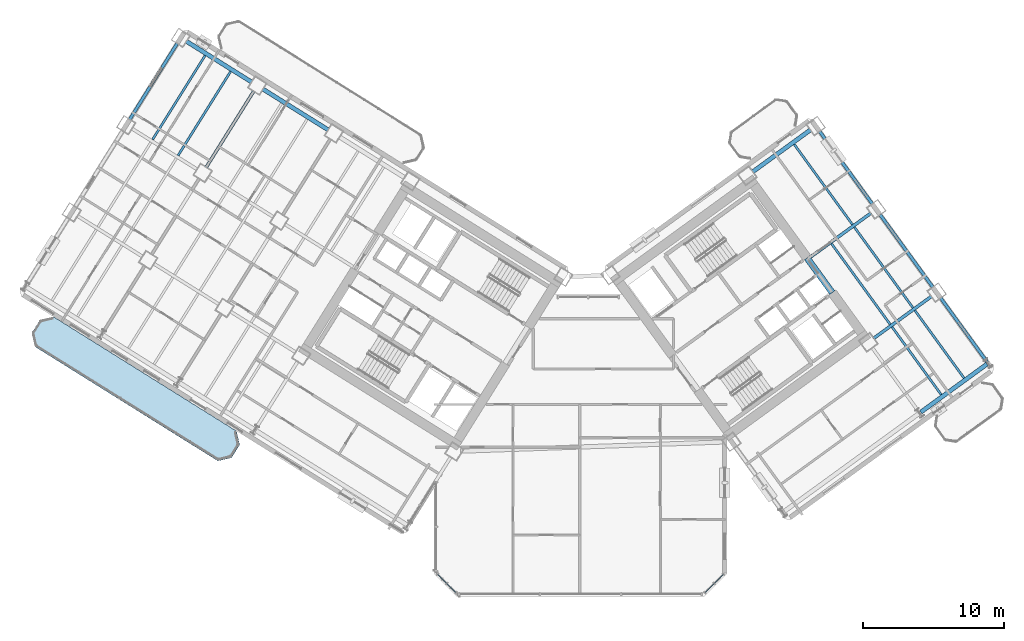
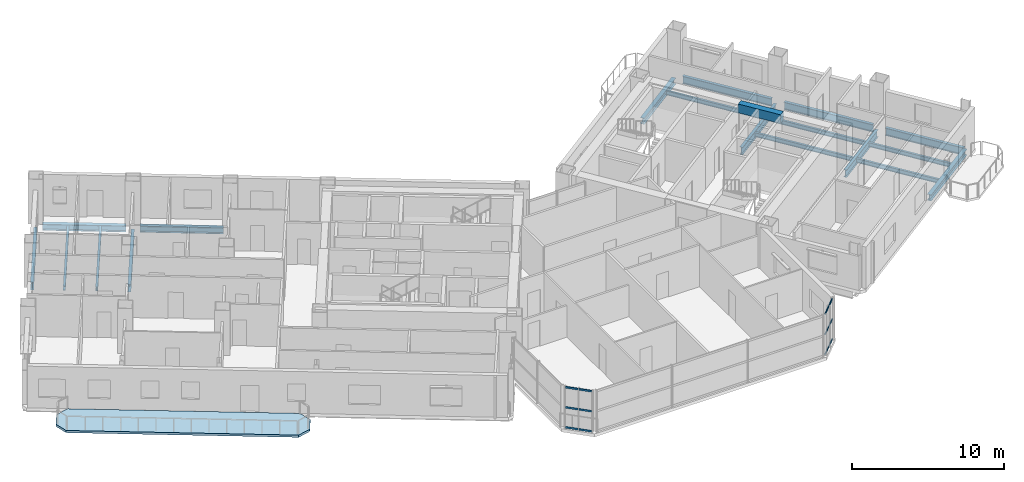
# One storey, part 12 of 25: 19 beams, 12 members, 1 slab, 2 elements without a shape of their own.
"""IFC4 building model written with IfcOpenShell, lengths in metres."""

from ifc_helpers import new_model, si_unit, direction, frame, origin, origin_2d, place, context, subcontext, project, spatial, polyline, rectangle, hollow_rectangle, i_section, outline, extrude, source, transform, mapped, material, layer, layer_set, material_profile, profile_set, type_object, element, aggregate, save


model = new_model("IFC4")

# Units and contexts
model_context = context("Model", 3, precision=1e-05, world=origin(), true_north=direction((0.0, 1.0)))
body_context = subcontext(model_context, "Body", "Model", "MODEL_VIEW")
ifc_project = project(units=[si_unit("LENGTHUNIT", "METRE"), si_unit("AREAUNIT", "SQUARE_METRE"), si_unit("VOLUMEUNIT", "CUBIC_METRE"), si_unit("PLANEANGLEUNIT", "RADIAN"), si_unit("MASSUNIT", "GRAM", prefix="KILO")], contexts=[model_context])

# Site, building, storey
site_placement = place(None, origin())
site = spatial("IfcSite", under=ifc_project, at=site_placement, CompositionType="ELEMENT")
building_placement = place(site_placement, origin())
building = spatial("IfcBuilding", under=site, at=building_placement, Name="Tlacorven Tower", CompositionType="ELEMENT")
storey_placement = place(building_placement, frame((0.0, 0.0, 52.800048828125)))
storey = spatial("IfcBuildingStorey", under=building, at=storey_placement, Name="L13", CompositionType="ELEMENT", Elevation=52.800048828125)

# Beams
ifc_material_1 = material(Name="Concrete C60/75", Category="concrete")
ifc_material_profile_1 = material_profile(ifc_material_1, rectangle(XDim=0.449951171875, YDim=0.699951171875, at=origin_2d()), Name="RC 450X700")
ifc_profile_set_1 = profile_set([ifc_material_profile_1], Name="Concrete C60/75")
beam_type_1 = type_object("IfcBeamType", Name="BM-LNT-700", PredefinedType="LINTEL", material=ifc_profile_set_1)
shared_shape_1 = source(origin(), body_context, "Body", "SweptSolid", [
    extrude(rectangle(XDim=0.449951171875, YDim=0.699951171875, at=origin_2d()), origin(), (0.0, 0.0, 1.0), 3.050048828125),
])
beam_1_placement = place(storey_placement, frame((59.856689453125, 23.345947265625, 3.0), z_axis=(-0.587776590479, 0.80902328748, 0.0), x_axis=(-0.80902328748, -0.587776590479, 0.0)))
element("IfcBeam", 1, at=beam_1_placement, inside=storey, type_object=beam_type_1, Name="L13 E core coupling lintel beam E2", PredefinedType="LINTEL", context=body_context, shape_type="MappedRepresentation", body=[
    mapped(shared_shape_1, transform((0.0, 0.0, 0.0), scale=1.0)),
])
ifc_material_2 = material(Name="Steel S355J2", Category="steel")
ifc_material_profile_2 = material_profile(ifc_material_2, i_section(OverallWidth=0.300048828125, OverallDepth=0.489990234375, WebThickness=0.011962890625, FlangeThickness=0.02294921875, at=origin_2d()), Name="HEA 500")
ifc_profile_set_2 = profile_set([ifc_material_profile_2], Name="Steel S355J2")
beam_type_2 = type_object("IfcBeamType", Name="BM-SPN-500", PredefinedType="SPANDREL", material=ifc_profile_set_2)
shared_shape_2 = source(origin(), body_context, "Body", "SweptSolid", [
    extrude(i_section(OverallWidth=0.300048828125, OverallDepth=0.489990234375, WebThickness=0.011962890625, FlangeThickness=0.02294921875, at=origin_2d()), origin(), (0.0, 0.0, 1.0), 5.5),
])
for number, where, z_axis, x_axis, name in (
    (2, (24.118896484375, 34.88134765625, -0.4951171875), (-0.848050668838, 0.52991514706, 0.0), (-0.52991514706, -0.848050668838, 0.0), "L13 beam BM-L13-WL1-4"),
    (3, (18.69140625, 38.272705078125, -0.4951171875), (-0.848050668838, 0.52991514706, 0.0), (-0.52991514706, -0.848050668838, 0.0), "L13 beam BM-L13-WL1-5"),
):
    element("IfcBeam", number, at=place(storey_placement, frame(where, z_axis=z_axis, x_axis=x_axis)), inside=storey, type_object=beam_type_2, Name=name, PredefinedType="SPANDREL", context=body_context, shape_type="MappedRepresentation", body=[
        mapped(shared_shape_2, transform((0.0, 0.0, 0.0), scale=1.0)),
    ])
ifc_material_profile_3 = material_profile(ifc_material_2, i_section(OverallWidth=0.219970703125, OverallDepth=0.60009765625, WebThickness=0.011962890625, FlangeThickness=0.01904296875, at=origin_2d()), Name="IPE 600")
ifc_profile_set_3 = profile_set([ifc_material_profile_3], Name="Steel S355J2")
beam_type_3 = type_object("IfcBeamType", Name="BM-TWR-600", PredefinedType="BEAM", material=ifc_profile_set_3)
shared_shape_3 = source(origin(), body_context, "Body", "SweptSolid", [
    extrude(i_section(OverallWidth=0.219970703125, OverallDepth=0.60009765625, WebThickness=0.011962890625, FlangeThickness=0.01904296875, at=origin_2d()), origin(), (0.0, 0.0, 1.0), 5.650146484375),
])
beam_2_placement = place(storey_placement, frame((70.853271484375, 18.41845703125, -0.550048828125), z_axis=(-0.587783675561, 0.809018139935, 0.0), x_axis=(-0.809018139935, -0.587783675561, 0.0)))
element("IfcBeam", 4, at=beam_2_placement, inside=storey, type_object=beam_type_3, Name="L13 beam BM-L13-ET4-1", PredefinedType="BEAM", context=body_context, shape_type="MappedRepresentation", body=[
    mapped(shared_shape_3, transform((0.0, 0.0, 0.0), scale=1.0)),
])
shared_shape_4 = source(origin(), body_context, "Body", "SweptSolid", [
    extrude(i_section(OverallWidth=0.219970703125, OverallDepth=0.60009765625, WebThickness=0.011962890625, FlangeThickness=0.01904296875, at=origin_2d()), origin(), (0.0, 0.0, 1.0), 6.39990234375),
])
for number, where, z_axis, x_axis, name in (
    (5, (67.003173828125, 23.717529296875, -0.550048828125), (-0.587772420479, 0.809026317077, 0.0), (-0.809026317077, -0.587772420479, 0.0), "L13 beam BM-L13-ET4-2"),
    (6, (62.71240234375, 29.62353515625, -0.550048828125), (-0.587815528162, 0.808994996803, 0.0), (-0.808994996803, -0.587815528162, 0.0), "L13 beam BM-L13-ET4-3"),
):
    element("IfcBeam", number, at=place(storey_placement, frame(where, z_axis=z_axis, x_axis=x_axis)), inside=storey, type_object=beam_type_3, Name=name, PredefinedType="BEAM", context=body_context, shape_type="MappedRepresentation", body=[
        mapped(shared_shape_4, transform((0.0, 0.0, 0.0), scale=1.0)),
    ])
shared_shape_5 = source(origin(), body_context, "Body", "SweptSolid", [
    extrude(i_section(OverallWidth=0.219970703125, OverallDepth=0.60009765625, WebThickness=0.011962890625, FlangeThickness=0.01904296875, at=origin_2d()), origin(), (0.0, 0.0, 1.0), 6.400146484375),
])
for number, where, z_axis, x_axis, name in (
    (7, (18.83447265625, 37.652587890625, -0.550048828125), (-0.529933789039, -0.848039019877, 0.0), (0.848039019877, -0.529933789039, 0.0), "L13 beam BM-L13-WT5-1"),
    (8, (13.406982421875, 41.044189453125, -0.550048828125), (-0.529933789039, -0.848039019877, 0.0), (0.848039019877, -0.529933789039, 0.0), "L13 beam BM-L13-WT6-1"),
):
    element("IfcBeam", number, at=place(storey_placement, frame(where, z_axis=z_axis, x_axis=x_axis)), inside=storey, type_object=beam_type_3, Name=name, PredefinedType="BEAM", context=body_context, shape_type="MappedRepresentation", body=[
        mapped(shared_shape_5, transform((0.0, 0.0, 0.0), scale=1.0)),
    ])
ifc_material_profile_4 = material_profile(ifc_material_2, i_section(OverallWidth=0.159912109375, OverallDepth=0.330078125, WebThickness=0.007568359375, FlangeThickness=0.011474609375, at=origin_2d()), Name="IPE 330")
ifc_profile_set_4 = profile_set([ifc_material_profile_4], Name="Steel S355J2")
beam_type_4 = type_object("IfcBeamType", Name="BM-JST-330", PredefinedType="JOIST", material=ifc_profile_set_4)
shared_shape_6 = source(origin(), body_context, "Body", "SweptSolid", [
    extrude(i_section(OverallWidth=0.159912109375, OverallDepth=0.330078125, WebThickness=0.007568359375, FlangeThickness=0.011474609375, at=origin_2d()), origin(), (0.0, 0.0, 1.0), 7.030029296875),
])
for number, where, z_axis, x_axis, name in (
    (9, (17.181640625, 39.033447265625, -0.4150390625), (-0.529911532383, -0.848052927504, 0.0), (0.848052927504, -0.529911532383, 0.0), "L13 beam BM-L13-WJ5-1-1"),
    (10, (15.372314453125, 40.163818359375, -0.4150390625), (-0.529927139185, -0.84804317529, 0.0), (0.84804317529, -0.529927139185, 0.0), "L13 beam BM-L13-WJ5-1-2"),
    (11, (61.291259765625, 28.1767578125, -0.4150390625), (-0.587773097846, 0.809025824958, 0.0), (-0.809025824958, -0.587773097846, 0.0), "L13 beam BM-L13-EJ3-3-2"),
):
    element("IfcBeam", number, at=place(storey_placement, frame(where, z_axis=z_axis, x_axis=x_axis)), inside=storey, type_object=beam_type_4, Name=name, PredefinedType="JOIST", context=body_context, shape_type="MappedRepresentation", body=[
        mapped(shared_shape_6, transform((0.0, 0.0, 0.0), scale=1.0)),
    ])
shared_shape_7 = source(origin(), body_context, "Body", "SweptSolid", [
    extrude(i_section(OverallWidth=0.159912109375, OverallDepth=0.330078125, WebThickness=0.007568359375, FlangeThickness=0.011474609375, at=origin_2d()), origin(), (0.0, 0.0, 1.0), 5.93017578125),
])
for number, where, z_axis, x_axis, name in (
    (12, (67.584716796875, 16.11181640625, -0.4150390625), (-0.587777512947, 0.809022617282, 0.0), (-0.809022617282, -0.587777512947, 0.0), "L13 beam BM-L13-EJ3-1-1"),
    (13, (69.202880859375, 17.287353515625, -0.4150390625), (-0.587777512947, 0.809022617282, 0.0), (-0.809022617282, -0.587777512947, 0.0), "L13 beam BM-L13-EJ3-1-2"),
):
    element("IfcBeam", number, at=place(storey_placement, frame(where, z_axis=z_axis, x_axis=x_axis)), inside=storey, type_object=beam_type_4, Name=name, PredefinedType="JOIST", context=body_context, shape_type="MappedRepresentation", body=[
        mapped(shared_shape_7, transform((0.0, 0.0, 0.0), scale=1.0)),
    ])
shared_shape_8 = source(origin(), body_context, "Body", "SweptSolid", [
    extrude(i_section(OverallWidth=0.159912109375, OverallDepth=0.330078125, WebThickness=0.007568359375, FlangeThickness=0.011474609375, at=origin_2d()), origin(), (0.0, 0.0, 1.0), 7.070068359375),
])
beam_3_placement = place(storey_placement, frame((63.964111328125, 21.095458984375, -0.4150390625), z_axis=(-0.587797946309, 0.80900777148, 0.0), x_axis=(-0.80900777148, -0.587797946309, 0.0)))
element("IfcBeam", 14, at=beam_3_placement, inside=storey, type_object=beam_type_4, Name="L13 beam BM-L13-EJ3-2-1", PredefinedType="JOIST", context=body_context, shape_type="MappedRepresentation", body=[
    mapped(shared_shape_8, transform((0.0, 0.0, 0.0), scale=1.0)),
])
shared_shape_9 = source(origin(), body_context, "Body", "SweptSolid", [
    extrude(i_section(OverallWidth=0.159912109375, OverallDepth=0.330078125, WebThickness=0.007568359375, FlangeThickness=0.011474609375, at=origin_2d()), origin(), (0.0, 0.0, 1.0), 7.06982421875),
])
beam_4_placement = place(storey_placement, frame((65.58203125, 22.27099609375, -0.4150390625), z_axis=(-0.58777534487, 0.809024192446, 0.0), x_axis=(-0.809024192446, -0.58777534487, 0.0)))
element("IfcBeam", 15, at=beam_4_placement, inside=storey, type_object=beam_type_4, Name="L13 beam BM-L13-EJ3-2-2", PredefinedType="JOIST", context=body_context, shape_type="MappedRepresentation", body=[
    mapped(shared_shape_9, transform((0.0, 0.0, 0.0), scale=1.0)),
])
shared_shape_10 = source(origin(), body_context, "Body", "SweptSolid", [
    extrude(i_section(OverallWidth=0.300048828125, OverallDepth=0.489990234375, WebThickness=0.011962890625, FlangeThickness=0.02294921875, at=origin_2d()), origin(), (0.0, 0.0, 1.0), 5.800048828125),
])
beam_5_placement = place(storey_placement, frame((66.138671875, 14.86962890625, -0.4951171875), z_axis=(0.809019944521, 0.587781191743, 0.0), x_axis=(-0.587781191743, 0.809019944521, 0.0)))
element("IfcBeam", 16, at=beam_5_placement, inside=storey, type_object=beam_type_2, Name="L13 beam BM-L13-EL1-3", PredefinedType="SPANDREL", context=body_context, shape_type="MappedRepresentation", body=[
    mapped(shared_shape_10, transform((0.0, 0.0, 0.0), scale=1.0)),
])
shared_shape_11 = source(origin(), body_context, "Body", "SweptSolid", [
    extrude(i_section(OverallWidth=0.219970703125, OverallDepth=0.60009765625, WebThickness=0.011962890625, FlangeThickness=0.01904296875, at=origin_2d()), origin(), (0.0, 0.0, 1.0), 5.10009765625),
])
beam_6_placement = place(storey_placement, frame((62.777587890625, 20.09130859375, -0.550048828125), z_axis=(0.809007176828, 0.58779876475, 0.0), x_axis=(-0.58779876475, 0.809007176828, 0.0)))
element("IfcBeam", 17, at=beam_6_placement, inside=storey, type_object=beam_type_3, Name="L13 beam BM-L13-EL2-3", PredefinedType="BEAM", context=body_context, shape_type="MappedRepresentation", body=[
    mapped(shared_shape_11, transform((0.0, 0.0, 0.0), scale=1.0)),
])
shared_shape_12 = source(origin(), body_context, "Body", "SweptSolid", [
    extrude(i_section(OverallWidth=0.219970703125, OverallDepth=0.60009765625, WebThickness=0.011962890625, FlangeThickness=0.01904296875, at=origin_2d()), origin(), (0.0, 0.0, 1.0), 5.510009765625),
])
beam_7_placement = place(storey_placement, frame((58.155029296875, 25.756103515625, -0.550048828125), z_axis=(0.809015730594, 0.587786991734, 0.0), x_axis=(-0.587786991734, 0.809015730594, 0.0)))
element("IfcBeam", 18, at=beam_7_placement, inside=storey, type_object=beam_type_3, Name="L13 beam BM-L13-EL3-3", PredefinedType="BEAM", context=body_context, shape_type="MappedRepresentation", body=[
    mapped(shared_shape_12, transform((0.0, 0.0, 0.0), scale=1.0)),
])
shared_shape_13 = source(origin(), body_context, "Body", "SweptSolid", [
    extrude(i_section(OverallWidth=0.300048828125, OverallDepth=0.489990234375, WebThickness=0.011962890625, FlangeThickness=0.02294921875, at=origin_2d()), origin(), (0.0, 0.0, 1.0), 5.099853515625),
])
beam_8_placement = place(storey_placement, frame((54.196044921875, 31.903076171875, -0.4951171875), z_axis=(0.809029940764, 0.587767432704, 0.0), x_axis=(-0.587767432704, 0.809029940764, 0.0)))
element("IfcBeam", 19, at=beam_8_placement, inside=storey, type_object=beam_type_2, Name="L13 beam BM-L13-EL4-3", PredefinedType="SPANDREL", context=body_context, shape_type="MappedRepresentation", body=[
    mapped(shared_shape_13, transform((0.0, 0.0, 0.0), scale=1.0)),
])

# Curtain wall, members
ifc_material_3 = material(Name="Dark solar low-E double glazing in aluminium frame", Category="aluminium")
curtain_wall_type = type_object("IfcCurtainWallType", Name="CW-TWR-LOW", PredefinedType="USERDEFINED", material=ifc_material_3)
curtain_wall_1_placement = place(storey_placement, origin())
curtain_wall_1 = element("IfcCurtainWall", 20, at=curtain_wall_1_placement, inside=storey, type_object=curtain_wall_type, Name="L13 CW-TWR-LOW Curtain Wall 69", ObjectType="UNITISED CURTAIN WALL", PredefinedType="USERDEFINED")
ifc_material_4 = material(Name="Aluminium 6063-T6 anodised", Category="aluminium")
ifc_material_profile_5 = material_profile(ifc_material_4, hollow_rectangle(XDim=0.06005859375, YDim=0.139892578125, WallThickness=0.00390625, at=origin_2d()), Name="ALU TRANSOM 60X140")
ifc_profile_set_5 = profile_set([ifc_material_profile_5], Name="Aluminium 6063-T6 anodised")
member_type = type_object("IfcMemberType", Name="CWT-02", PredefinedType="USERDEFINED", material=ifc_profile_set_5)
shared_shape_14 = source(origin(), body_context, "Body", "SweptSolid", [
    extrude(hollow_rectangle(XDim=0.06005859375, YDim=0.139892578125, WallThickness=0.00390625, at=origin_2d()), origin(), (0.0, 0.0, 1.0), 0.8837890625),
])
member_1_placement = place(storey_placement, frame((52.128173828125, 3.3544921875, 0.070068359375), z_axis=(-0.707106781187, -0.707106781187, 0.0), x_axis=(0.707106781187, -0.707106781187, 0.0)))
member_1 = element("IfcMember", 21, at=member_1_placement, type_object=member_type, Name="CW-L13-069 Transom 1", ObjectType="TRANSOM", PredefinedType="USERDEFINED", context=body_context, shape_type="MappedRepresentation", body=[
    mapped(shared_shape_14, transform((0.0, 0.0, 0.0), scale=1.0)),
])
member_2_placement = place(storey_placement, frame((52.128173828125, 3.3544921875, 1.675048828125), z_axis=(-0.707106781187, -0.707106781187, 0.0), x_axis=(0.707106781187, -0.707106781187, 0.0)))
member_2 = element("IfcMember", 22, at=member_2_placement, type_object=member_type, Name="CW-L13-069 Transom 2", ObjectType="TRANSOM", PredefinedType="USERDEFINED", context=body_context, shape_type="MappedRepresentation", body=[
    mapped(shared_shape_14, transform((0.0, 0.0, 0.0), scale=1.0)),
])
member_3_placement = place(storey_placement, frame((52.128173828125, 3.3544921875, 3.280029296875), z_axis=(-0.707106781187, -0.707106781187, 0.0), x_axis=(0.707106781187, -0.707106781187, 0.0)))
member_3 = element("IfcMember", 23, at=member_3_placement, type_object=member_type, Name="CW-L13-069 Transom 3", ObjectType="TRANSOM", PredefinedType="USERDEFINED", context=body_context, shape_type="MappedRepresentation", body=[
    mapped(shared_shape_14, transform((0.0, 0.0, 0.0), scale=1.0)),
])

curtain_wall_2_placement = place(storey_placement, origin())
curtain_wall_2 = element("IfcCurtainWall", 24, at=curtain_wall_2_placement, inside=storey, type_object=curtain_wall_type, Name="L13 CW-TWR-LOW Curtain Wall 71", ObjectType="UNITISED CURTAIN WALL", PredefinedType="USERDEFINED")
member_4_placement = place(storey_placement, frame((32.496826171875, 2.7294921875, 0.070068359375), z_axis=(-0.707106781187, 0.707106781187, 0.0), x_axis=(-0.707106781187, -0.707106781187, 0.0)))
member_4 = element("IfcMember", 25, at=member_4_placement, type_object=member_type, Name="CW-L13-071 Transom 4", ObjectType="TRANSOM", PredefinedType="USERDEFINED", context=body_context, shape_type="MappedRepresentation", body=[
    mapped(shared_shape_14, transform((0.0, 0.0, 0.0), scale=1.0)),
])
member_5_placement = place(storey_placement, frame((32.496826171875, 2.7294921875, 1.675048828125), z_axis=(-0.707106781187, 0.707106781187, 0.0), x_axis=(-0.707106781187, -0.707106781187, 0.0)))
member_5 = element("IfcMember", 26, at=member_5_placement, type_object=member_type, Name="CW-L13-071 Transom 5", ObjectType="TRANSOM", PredefinedType="USERDEFINED", context=body_context, shape_type="MappedRepresentation", body=[
    mapped(shared_shape_14, transform((0.0, 0.0, 0.0), scale=1.0)),
])
member_6_placement = place(storey_placement, frame((32.496826171875, 2.7294921875, 3.280029296875), z_axis=(-0.707106781187, 0.707106781187, 0.0), x_axis=(-0.707106781187, -0.707106781187, 0.0)))
member_6 = element("IfcMember", 27, at=member_6_placement, type_object=member_type, Name="CW-L13-071 Transom 6", ObjectType="TRANSOM", PredefinedType="USERDEFINED", context=body_context, shape_type="MappedRepresentation", body=[
    mapped(shared_shape_14, transform((0.0, 0.0, 0.0), scale=1.0)),
])

# Member
shared_shape_15 = source(origin(), body_context, "Body", "SweptSolid", [
    extrude(hollow_rectangle(XDim=0.06005859375, YDim=0.139892578125, WallThickness=0.00390625, at=origin_2d()), origin(), (0.0, 0.0, 1.0), 0.884033203125),
])
member_7_placement = place(storey_placement, frame((51.470703125, 2.69677734375, 0.070068359375), z_axis=(-0.707244847527, -0.706968687883, 0.0), x_axis=(0.706968687883, -0.707244847527, 0.0)))
member_7 = element("IfcMember", 28, at=member_7_placement, type_object=member_type, Name="CW-L13-069 Transom 4", ObjectType="TRANSOM", PredefinedType="USERDEFINED", context=body_context, shape_type="MappedRepresentation", body=[
    mapped(shared_shape_15, transform((0.0, 0.0, 0.0), scale=1.0)),
])

member_8_placement = place(storey_placement, frame((51.470703125, 2.69677734375, 1.675048828125), z_axis=(-0.707244847527, -0.706968687883, 0.0), x_axis=(0.706968687883, -0.707244847527, 0.0)))
member_8 = element("IfcMember", 29, at=member_8_placement, type_object=member_type, Name="CW-L13-069 Transom 5", ObjectType="TRANSOM", PredefinedType="USERDEFINED", context=body_context, shape_type="MappedRepresentation", body=[
    mapped(shared_shape_15, transform((0.0, 0.0, 0.0), scale=1.0)),
])

member_9_placement = place(storey_placement, frame((51.470703125, 2.69677734375, 3.280029296875), z_axis=(-0.707244847527, -0.706968687883, 0.0), x_axis=(0.706968687883, -0.707244847527, 0.0)))
member_9 = element("IfcMember", 30, at=member_9_placement, type_object=member_type, Name="CW-L13-069 Transom 6", ObjectType="TRANSOM", PredefinedType="USERDEFINED", context=body_context, shape_type="MappedRepresentation", body=[
    mapped(shared_shape_15, transform((0.0, 0.0, 0.0), scale=1.0)),
])

aggregate(curtain_wall_1, [member_1, member_2, member_3, member_7, member_8, member_9])

member_10_placement = place(storey_placement, frame((33.154541015625, 2.07177734375, 0.070068359375), z_axis=(-0.707244847527, 0.706968687883, 0.0), x_axis=(-0.706968687883, -0.707244847527, 0.0)))
member_10 = element("IfcMember", 31, at=member_10_placement, type_object=member_type, Name="CW-L13-071 Transom 1", ObjectType="TRANSOM", PredefinedType="USERDEFINED", context=body_context, shape_type="MappedRepresentation", body=[
    mapped(shared_shape_15, transform((0.0, 0.0, 0.0), scale=1.0)),
])

member_11_placement = place(storey_placement, frame((33.154541015625, 2.07177734375, 1.675048828125), z_axis=(-0.707244847527, 0.706968687883, 0.0), x_axis=(-0.706968687883, -0.707244847527, 0.0)))
member_11 = element("IfcMember", 32, at=member_11_placement, type_object=member_type, Name="CW-L13-071 Transom 2", ObjectType="TRANSOM", PredefinedType="USERDEFINED", context=body_context, shape_type="MappedRepresentation", body=[
    mapped(shared_shape_15, transform((0.0, 0.0, 0.0), scale=1.0)),
])

member_12_placement = place(storey_placement, frame((33.154541015625, 2.07177734375, 3.280029296875), z_axis=(-0.707244847527, 0.706968687883, 0.0), x_axis=(-0.706968687883, -0.707244847527, 0.0)))
member_12 = element("IfcMember", 33, at=member_12_placement, type_object=member_type, Name="CW-L13-071 Transom 3", ObjectType="TRANSOM", PredefinedType="USERDEFINED", context=body_context, shape_type="MappedRepresentation", body=[
    mapped(shared_shape_15, transform((0.0, 0.0, 0.0), scale=1.0)),
])

aggregate(curtain_wall_2, [member_10, member_11, member_12, member_4, member_5, member_6])

# Slab
ifc_material_5 = material(Name="Precast concrete C45/55", Category="concrete")
ifc_layer = layer(ifc_material_5, 0.179931640625)
ifc_layer_set = layer_set([ifc_layer], Name="Precast concrete C45/55")
slab_type = type_object("IfcSlabType", Name="SL-BAL-180", PredefinedType="USERDEFINED", material=ifc_layer_set)
slab_placement = place(storey_placement, frame((0.0, 0.0, -0.179931640625)))
element("IfcSlab", 34, at=slab_placement, inside=storey, type_object=slab_type, Name="L13 West Wing Balcony Ribbon OUT", ObjectType="BALCONY SLAB", PredefinedType="USERDEFINED", context=body_context, shape_type="SweptSolid", body=[
    extrude(outline(polyline([(17.601318359375, 13.52490234375), (4.626220703125, 21.632568359375), (3.66162109375, 21.409912109375), (3.081298828125, 20.4814453125), (3.303955078125, 19.516845703125), (16.279052734375, 11.408935546875), (17.24365234375, 11.6318359375), (17.823974609375, 12.560302734375), (17.601318359375, 13.52490234375)])), origin(), (0.0, 0.0, 1.0), 0.179931640625),
])

save(model, "model.ifc")
